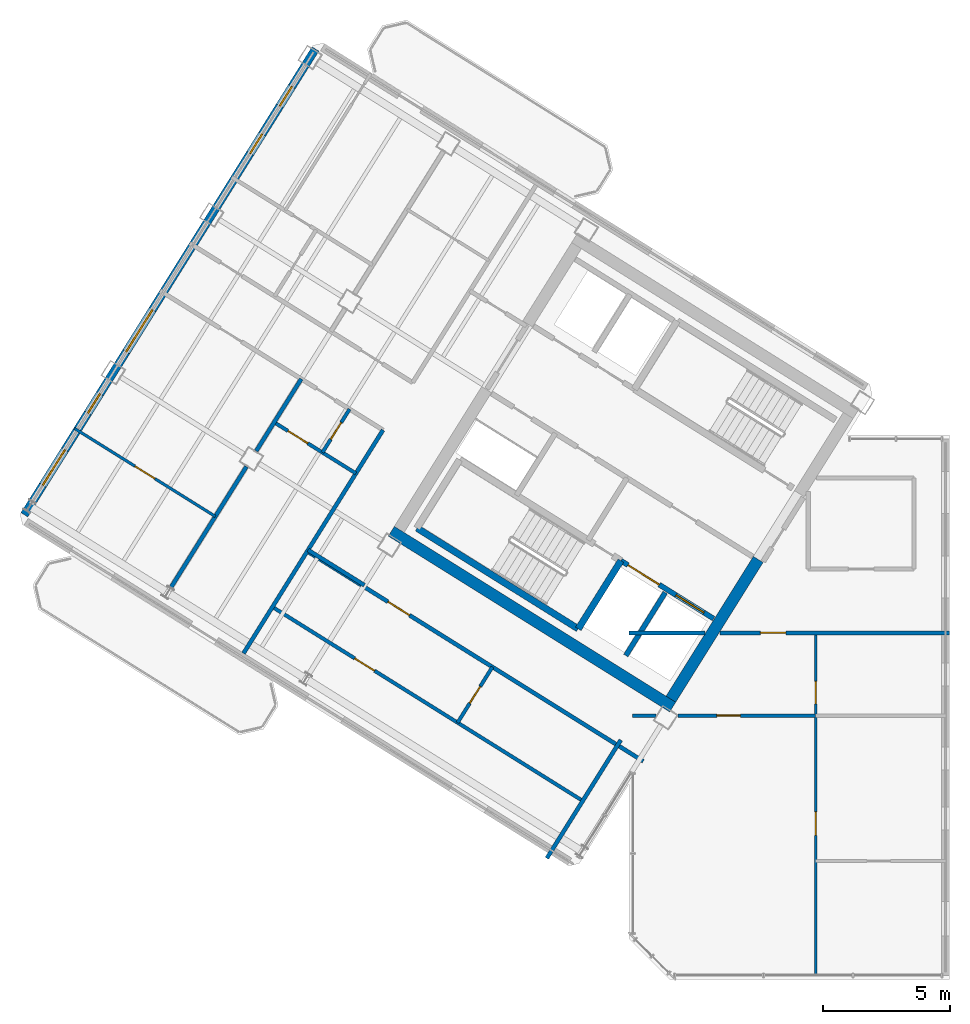
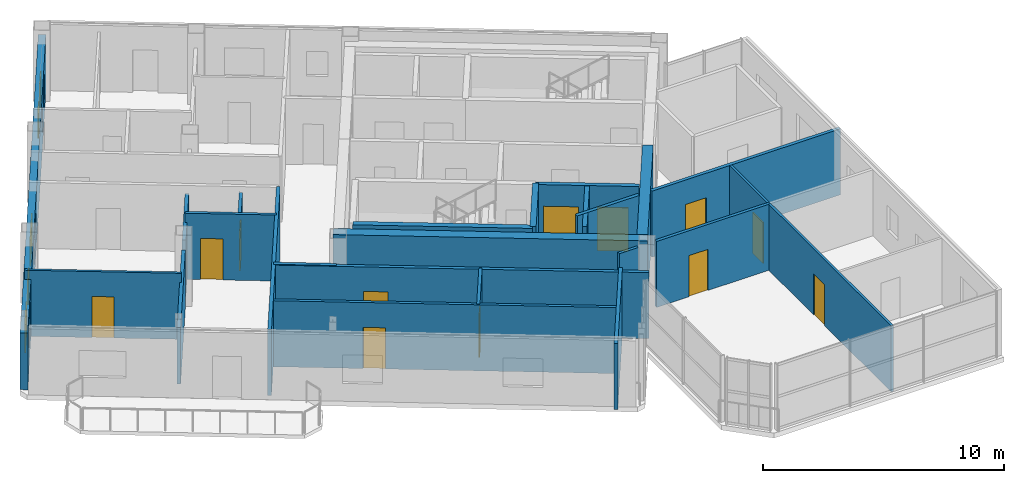
# One storey, part 7 of 13: 23 walls, 12 doors, 5 windows, 17 openings.
"""IFC4 building model written with IfcOpenShell, lengths in metres."""

from ifc_helpers import new_model, si_unit, direction, frame, frame_2d, origin, place, context, subcontext, project, spatial, rectangle, extrude, source, transform, mapped, material, layer, layer_set, type_object, element, fill, save


model = new_model("IFC4")

# Units and contexts
model_context = context("Model", 3, precision=1e-05, world=origin(), true_north=direction((0.0, 1.0)))
body_context = subcontext(model_context, "Body", "Model", "MODEL_VIEW")
ifc_project = project(units=[si_unit("LENGTHUNIT", "METRE"), si_unit("AREAUNIT", "SQUARE_METRE"), si_unit("VOLUMEUNIT", "CUBIC_METRE"), si_unit("PLANEANGLEUNIT", "RADIAN"), si_unit("MASSUNIT", "GRAM", prefix="KILO")], contexts=[model_context])

# Site, building, storey
site_placement = place(None, origin())
site = spatial("IfcSite", under=ifc_project, at=site_placement, CompositionType="ELEMENT")
building_placement = place(site_placement, origin())
building = spatial("IfcBuilding", under=site, at=building_placement, Name="Tlacorven Tower", CompositionType="ELEMENT")
storey_placement = place(building_placement, frame((0.0, 0.0, 291.60009765625)))
storey = spatial("IfcBuildingStorey", under=building, at=storey_placement, Name="L74", CompositionType="ELEMENT", Elevation=291.60009765625)

# Walls
ifc_material_1 = material(Name="Concrete C50/60", Category="concrete")
ifc_layer_1 = layer(ifc_material_1, 0.449951171875)
ifc_layer_set_1 = layer_set([ifc_layer_1], Name="Concrete C50/60")
wall_type_1 = type_object("IfcWallType", Name="WL-COR-450", PredefinedType="SHEAR", material=ifc_layer_set_1)
wall_1_placement = place(storey_placement, frame((33.32373046875, 12.5029296875, 0.0), z_axis=(0.0, 0.0, 1.0), x_axis=(-0.848043529849, 0.529926571782, 0.0)))
element("IfcWall", 1, at=wall_1_placement, inside=storey, type_object=wall_type_1, Name="L74 W core shear wall S2", PredefinedType="SHEAR", context=body_context, shape_type="SweptSolid", body=[
    extrude(rectangle(XDim=13.039794921875, YDim=0.449951171875, at=frame_2d((6.52001953125, 0.0))), origin(), (0.0, 0.0, 1.0), 3.349853515625),
])
wall_2_placement = place(storey_placement, frame((36.683349609375, 18.30419921875, 0.0), z_axis=(0.0, 0.0, 1.0), x_axis=(-0.529904039071, -0.848057609704, 0.0)))
element("IfcWall", 2, at=wall_2_placement, inside=storey, type_object=wall_type_1, Name="L74 W core end wall E1.2", PredefinedType="SHEAR", context=body_context, shape_type="SweptSolid", body=[
    extrude(rectangle(XDim=6.47509765625, YDim=0.449951171875, at=frame_2d((3.237548828125, 0.0))), origin(), (0.0, 0.0, 1.0), 3.349853515625),
])
ifc_material_2 = material(Name="Gypsum plasterboard acoustic partition", Category="gypsum")
ifc_layer_2 = layer(ifc_material_2, 0.159912109375)
ifc_layer_set_2 = layer_set([ifc_layer_2], Name="Gypsum plasterboard acoustic partition")
wall_type_2 = type_object("IfcWallType", Name="WL-DEM-160", PredefinedType="PARTITIONING", material=ifc_layer_set_2)
wall_3_placement = place(storey_placement, frame((21.20556640625, 17.29248046875, 0.0), z_axis=(0.0, 0.0, 1.0), x_axis=(-0.848050851465, 0.529914854792, 0.0)))
element("IfcWall", 3, at=wall_3_placement, inside=storey, type_object=wall_type_2, Name="L74 partition 20", PredefinedType="PARTITIONING", context=body_context, shape_type="SweptSolid", body=[
    extrude(rectangle(XDim=2.60986328125, YDim=0.159912109375, at=frame_2d((1.304931640625, 0.0))), origin(), (0.0, 0.0, 1.0), 3.33984375),
])
wall_4_placement = place(storey_placement, frame((21.9384765625, 23.390625, 0.0), z_axis=(0.0, 0.0, 1.0), x_axis=(-0.529924725692, -0.848044683434, 0.0)))
element("IfcWall", 4, at=wall_4_placement, inside=storey, type_object=wall_type_2, Name="L74 partition 22", PredefinedType="PARTITIONING", context=body_context, shape_type="SweptSolid", body=[
    extrude(rectangle(XDim=10.349853515625, YDim=0.159912109375, at=frame_2d((5.1748046875, 0.0))), origin(), (0.0, 0.0, 1.0), 3.33984375),
])
wall_5_placement = place(storey_placement, frame((18.724365234375, 25.399169921875, 0.0), z_axis=(0.0, 0.0, 1.0), x_axis=(-0.529952920244, -0.848027064618, 0.0)))
element("IfcWall", 5, at=wall_5_placement, inside=storey, type_object=wall_type_2, Name="L74 WN Demising Wall 1", PredefinedType="PARTITIONING", context=body_context, shape_type="SweptSolid", body=[
    extrude(rectangle(XDim=3.338134765625, YDim=0.159912109375, at=frame_2d((1.6689453125, 0.0))), origin(), (0.0, 0.0, 1.0), 2.875),
])
wall_6_placement = place(storey_placement, frame((16.57177734375, 21.954345703125, 0.0), z_axis=(0.0, 0.0, 1.0), x_axis=(-0.529904903214, -0.848057069748, 0.0)))
element("IfcWall", 6, at=wall_6_placement, inside=storey, type_object=wall_type_2, Name="L74 WN Demising Wall 1", PredefinedType="PARTITIONING", context=body_context, shape_type="SweptSolid", body=[
    extrude(rectangle(XDim=5.60107421875, YDim=0.159912109375, at=frame_2d((2.800537109375, 0.0))), origin(), (0.0, 0.0, 1.0), 2.875),
])

# Wall, opening, door
wall_7_placement = place(storey_placement, frame((32.164306640625, 10.373779296875, 0.0), z_axis=(0.0, 0.0, 1.0), x_axis=(-0.848044107957, 0.529925646633, 0.0)))
wall_7 = element("IfcWall", 7, at=wall_7_placement, inside=storey, type_object=wall_type_2, Name="L74 partition 35", PredefinedType="PARTITIONING", context=body_context, shape_type="SweptSolid", body=[
    extrude(rectangle(XDim=15.570068359375, YDim=0.159912109375, at=frame_2d((7.78515625, 0.0))), origin(), (0.0, 0.0, 1.0), 3.33984375),
])
opening_1_placement = place(wall_7_placement, frame((10.830078125, 0.0, 0.0)))
opening_1 = element("IfcOpeningElement", 8, at=opening_1_placement, cuts=wall_7, Name="Opening D11", PredefinedType="OPENING", context=body_context, shape_type="SweptSolid", body=[
    extrude(rectangle(XDim=1.0, YDim=2.10009765625, at=frame_2d((0.5, 1.050048828125))), frame((0.0, 0.08984375, 0.0), z_axis=(0.0, -1.0, 0.0), x_axis=(1.0, 0.0, 0.0)), (0.0, 0.0, 1.0), 0.179931640625),
])
ifc_material_3 = material(Name="Fire-rated steel door assembly", Category="steel")
door_type_1 = type_object("IfcDoorType", Name="DR-FLT-FD60-1000", OperationType="NOTDEFINED", PredefinedType="DOOR", material=ifc_material_3)
shared_shape_1 = source(origin(), body_context, "Body", "SweptSolid", [
    extrude(rectangle(XDim=1.0, YDim=2.10009765625, at=frame_2d((0.5, 1.050048828125))), frame((0.0, 0.02490234375, 0.0), z_axis=(0.0, -1.0, 0.0), x_axis=(1.0, 0.0, 0.0)), (0.0, 0.0, 1.0), 0.050048828125),
])
door_1_placement = place(opening_1_placement, origin())
door_1 = element("IfcDoor", 9, at=door_1_placement, inside=storey, type_object=door_type_1, Name="L74 door 023", OperationType="SINGLE_SWING_LEFT", OverallHeight=2.10009765625, OverallWidth=1.0, PredefinedType="DOOR", context=body_context, shape_type="MappedRepresentation", body=[
    mapped(shared_shape_1, transform((0.0, 0.0, 0.0), scale=1.0)),
])
fill(opening_1, door_1)

# Walls
wall_8_placement = place(storey_placement, frame((31.282470703125, 11.2080078125, 0.0), z_axis=(0.0, 0.0, 1.0), x_axis=(-0.529938869374, -0.84803584519, 0.0)))
element("IfcWall", 10, at=wall_8_placement, inside=storey, type_object=wall_type_2, Name="L74 WC West Throat Wall", PredefinedType="PARTITIONING", context=body_context, shape_type="SweptSolid", body=[
    extrude(rectangle(XDim=5.47998046875, YDim=0.159912109375, at=frame_2d((2.739990234375, 0.0))), origin(), (0.0, 0.0, 1.0), 3.33984375),
])
wall_9_placement = place(storey_placement, frame((31.60009765625, 15.419921875, 0.0), z_axis=(0.0, 0.0, 1.0), x_axis=(1.0, 0.0, 0.0)))
element("IfcWall", 11, at=wall_9_placement, inside=storey, type_object=wall_type_2, Name="L74 Knuckle Corridor South Wall", PredefinedType="PARTITIONING", context=body_context, shape_type="SweptSolid", body=[
    extrude(rectangle(XDim=2.984130859375, YDim=0.159912109375, at=frame_2d((1.4921875, 0.0))), origin(), (0.0, 0.0, 1.0), 3.33984375),
])

# Wall, opening, door
wall_10_placement = place(storey_placement, frame((35.178466796875, 15.419921875, 0.0), z_axis=(0.0, 0.0, 1.0), x_axis=(1.0, 0.0, 0.0)))
wall_10 = element("IfcWall", 12, at=wall_10_placement, inside=storey, type_object=wall_type_2, Name="L74 Knuckle Corridor South Wall", PredefinedType="PARTITIONING", context=body_context, shape_type="SweptSolid", body=[
    extrude(rectangle(XDim=9.021484375, YDim=0.159912109375, at=frame_2d((4.5107421875, 0.0))), origin(), (0.0, 0.0, 1.0), 3.33984375),
])
opening_2_placement = place(wall_10_placement, frame((1.593505859375, 0.0, 0.0)))
opening_2 = element("IfcOpeningElement", 13, at=opening_2_placement, cuts=wall_10, Name="Opening D11", PredefinedType="OPENING", context=body_context, shape_type="SweptSolid", body=[
    extrude(rectangle(XDim=1.0, YDim=2.10009765625, at=frame_2d((0.5, 1.050048828125))), frame((0.0, 0.08984375, 0.0), z_axis=(0.0, -1.0, 0.0), x_axis=(1.0, 0.0, 0.0)), (0.0, 0.0, 1.0), 0.179931640625),
])
door_2_placement = place(opening_2_placement, frame((1.0, 0.0, 0.0), z_axis=(0.0, 0.0, 1.0), x_axis=(-1.0, 0.0, 0.0)))
door_2 = element("IfcDoor", 14, at=door_2_placement, inside=storey, type_object=door_type_1, Name="L74 door 030", OperationType="SINGLE_SWING_LEFT", OverallHeight=2.10009765625, OverallWidth=1.0, PredefinedType="DOOR", context=body_context, shape_type="MappedRepresentation", body=[
    mapped(shared_shape_1, transform((0.0, 0.0, 0.0), scale=1.0)),
])
fill(opening_2, door_2)

# Wall, openings, windows
ifc_material_4 = material(Name="Precast concrete C45/55", Category="concrete")
ifc_layer_3 = layer(ifc_material_4, 0.320068359375)
ifc_layer_set_3 = layer_set([ifc_layer_3], Name="Precast concrete C45/55")
wall_type_3 = type_object("IfcWallType", Name="WL-EXT-320", PredefinedType="STANDARD", material=ifc_layer_set_3)
wall_11_placement = place(storey_placement, frame((7.842041015625, 20.06103515625, 0.0), z_axis=(0.0, 0.0, 1.0), x_axis=(0.529915577903, 0.84805039962, 0.0)))
wall_11 = element("IfcWall", 15, at=wall_11_placement, inside=storey, type_object=wall_type_3, Name="L74 Masonry-Frame Recessed Facade Wall 3", PredefinedType="STANDARD", context=body_context, shape_type="SweptSolid", body=[
    extrude(rectangle(XDim=21.58740234375, YDim=0.320068359375, at=frame_2d((10.793701171875, 0.0))), origin(), (0.0, 0.0, 1.0), 2.875),
])
opening_3_placement = place(wall_11_placement, frame((1.36767578125, 0.0, 0.89990234375)))
opening_3 = element("IfcOpeningElement", 16, at=opening_3_placement, cuts=wall_11, Name="Opening WN07", PredefinedType="OPENING", context=body_context, shape_type="SweptSolid", body=[
    extrude(rectangle(XDim=1.64990234375, YDim=1.449951171875, at=frame_2d((0.824951171875, 0.72509765625))), frame((0.0, 0.169921875, 0.0), z_axis=(0.0, -1.0, 0.0), x_axis=(1.0, 0.0, 0.0)), (0.0, 0.0, 1.0), 0.340087890625),
])
opening_4_placement = place(wall_11_placement, frame((4.710205078125, 0.0, 1.0)))
opening_4 = element("IfcOpeningElement", 17, at=opening_4_placement, cuts=wall_11, Name="Opening WN05", PredefinedType="OPENING", context=body_context, shape_type="SweptSolid", body=[
    extrude(rectangle(XDim=0.89990234375, YDim=1.25, at=frame_2d((0.449951171875, 0.625))), frame((0.0, 0.169921875, 0.0), z_axis=(0.0, -1.0, 0.0), x_axis=(1.0, 0.0, 0.0)), (0.0, 0.0, 1.0), 0.340087890625),
])
opening_5_placement = place(wall_11_placement, frame((7.5537109375, 0.0, 0.949951171875)))
opening_5 = element("IfcOpeningElement", 18, at=opening_5_placement, cuts=wall_11, Name="Opening WN09", PredefinedType="OPENING", context=body_context, shape_type="SweptSolid", body=[
    extrude(rectangle(XDim=1.949951171875, YDim=1.35009765625, at=frame_2d((0.97509765625, 0.675048828125))), frame((0.0, 0.169921875, 0.0), z_axis=(0.0, -1.0, 0.0), x_axis=(1.0, 0.0, 0.0)), (0.0, 0.0, 1.0), 0.340087890625),
])
opening_6_placement = place(wall_11_placement, frame((16.74365234375, 0.0, 1.0)))
opening_6 = element("IfcOpeningElement", 19, at=opening_6_placement, cuts=wall_11, Name="Opening WN05", PredefinedType="OPENING", context=body_context, shape_type="SweptSolid", body=[
    extrude(rectangle(XDim=0.89990234375, YDim=1.25, at=frame_2d((0.449951171875, 0.625))), frame((0.0, 0.169921875, 0.0), z_axis=(0.0, -1.0, 0.0), x_axis=(1.0, 0.0, 0.0)), (0.0, 0.0, 1.0), 0.340087890625),
])
opening_7_placement = place(wall_11_placement, frame((18.943603515625, 0.0, 1.0)))
opening_7 = element("IfcOpeningElement", 20, at=opening_7_placement, cuts=wall_11, Name="Opening WN05", PredefinedType="OPENING", context=body_context, shape_type="SweptSolid", body=[
    extrude(rectangle(XDim=0.89990234375, YDim=1.25, at=frame_2d((0.449951171875, 0.625))), frame((0.0, 0.169921875, 0.0), z_axis=(0.0, -1.0, 0.0), x_axis=(1.0, 0.0, 0.0)), (0.0, 0.0, 1.0), 0.340087890625),
])
ifc_material_5 = material(Name="Dark solar low-E double glazing in anodised aluminium frame", Category="aluminium")
window_type_1 = type_object("IfcWindowType", Name="WN-APT-0900X1350", PartitioningType="SINGLE_PANEL", PredefinedType="WINDOW", material=ifc_material_5)
shared_shape_2 = source(origin(), body_context, "Body", "SweptSolid", [
    extrude(rectangle(XDim=0.89990234375, YDim=1.25, at=frame_2d((0.449951171875, 0.625))), frame((0.0, 0.030029296875, 0.0), z_axis=(0.0, -1.0, 0.0), x_axis=(1.0, 0.0, 0.0)), (0.0, 0.0, 1.0), 0.06005859375),
])
window_1_placement = place(opening_4_placement, origin())
window_1 = element("IfcWindow", 21, at=window_1_placement, inside=storey, type_object=window_type_1, Name="L74 Recessed Masonry-Frame Window L74-03.2", OverallHeight=1.25, OverallWidth=0.89990234375, PartitioningType="SINGLE_PANEL", PredefinedType="WINDOW", context=body_context, shape_type="MappedRepresentation", body=[
    mapped(shared_shape_2, transform((0.0, 0.0, 0.0), scale=1.0)),
])
fill(opening_4, window_1)
window_2_placement = place(opening_6_placement, origin())
window_2 = element("IfcWindow", 22, at=window_2_placement, inside=storey, type_object=window_type_1, Name="L74 Recessed Masonry-Frame Window L74-03.4", OverallHeight=1.25, OverallWidth=0.89990234375, PartitioningType="SINGLE_PANEL", PredefinedType="WINDOW", context=body_context, shape_type="MappedRepresentation", body=[
    mapped(shared_shape_2, transform((0.0, 0.0, 0.0), scale=1.0)),
])
fill(opening_6, window_2)
window_3_placement = place(opening_7_placement, origin())
window_3 = element("IfcWindow", 23, at=window_3_placement, inside=storey, type_object=window_type_1, Name="L74 Recessed Masonry-Frame Window L74-03.5", OverallHeight=1.25, OverallWidth=0.89990234375, PartitioningType="SINGLE_PANEL", PredefinedType="WINDOW", context=body_context, shape_type="MappedRepresentation", body=[
    mapped(shared_shape_2, transform((0.0, 0.0, 0.0), scale=1.0)),
])
fill(opening_7, window_3)
window_type_2 = type_object("IfcWindowType", Name="WN-APT-1650X1600", PartitioningType="SINGLE_PANEL", PredefinedType="WINDOW", material=ifc_material_5)
shared_shape_3 = source(origin(), body_context, "Body", "SweptSolid", [
    extrude(rectangle(XDim=1.64990234375, YDim=1.449951171875, at=frame_2d((0.824951171875, 0.72509765625))), frame((0.0, 0.030029296875, 0.0), z_axis=(0.0, -1.0, 0.0), x_axis=(1.0, 0.0, 0.0)), (0.0, 0.0, 1.0), 0.06005859375),
])
window_4_placement = place(opening_3_placement, origin())
window_4 = element("IfcWindow", 24, at=window_4_placement, inside=storey, type_object=window_type_2, Name="L74 Recessed Masonry-Frame Window L74-03.1", OverallHeight=1.449951171875, OverallWidth=1.64990234375, PartitioningType="SINGLE_PANEL", PredefinedType="WINDOW", context=body_context, shape_type="MappedRepresentation", body=[
    mapped(shared_shape_3, transform((0.0, 0.0, 0.0), scale=1.0)),
])
fill(opening_3, window_4)
window_type_3 = type_object("IfcWindowType", Name="WN-GAL-1950X1450", PartitioningType="SINGLE_PANEL", PredefinedType="WINDOW", material=ifc_material_5)
shared_shape_4 = source(origin(), body_context, "Body", "SweptSolid", [
    extrude(rectangle(XDim=1.949951171875, YDim=1.35009765625, at=frame_2d((0.97509765625, 0.675048828125))), frame((0.0, 0.030029296875, 0.0), z_axis=(0.0, -1.0, 0.0), x_axis=(1.0, 0.0, 0.0)), (0.0, 0.0, 1.0), 0.06005859375),
])
window_5_placement = place(opening_5_placement, origin())
window_5 = element("IfcWindow", 25, at=window_5_placement, inside=storey, type_object=window_type_3, Name="L74 Recessed Masonry-Frame Window L74-03.3", OverallHeight=1.35009765625, OverallWidth=1.949951171875, PartitioningType="SINGLE_PANEL", PredefinedType="WINDOW", context=body_context, shape_type="MappedRepresentation", body=[
    mapped(shared_shape_4, transform((0.0, 0.0, 0.0), scale=1.0)),
])
fill(opening_5, window_5)

# Wall, opening, door
ifc_material_6 = material(Name="Gypsum plasterboard partition", Category="gypsum")
ifc_layer_4 = layer(ifc_material_6, 0.110107421875)
ifc_layer_set_4 = layer_set([ifc_layer_4], Name="Gypsum plasterboard partition")
wall_type_4 = type_object("IfcWallType", Name="WL-INT-110", PredefinedType="PARTITIONING", material=ifc_layer_set_4)
wall_12_placement = place(storey_placement, frame((15.34765625, 19.995361328125, 0.0), z_axis=(0.0, 0.0, 1.0), x_axis=(-0.848048787466, 0.529918157905, 0.0)))
wall_12 = element("IfcWall", 26, at=wall_12_placement, inside=storey, type_object=wall_type_4, Name="L74 partition 29", PredefinedType="PARTITIONING", context=body_context, shape_type="SweptSolid", body=[
    extrude(rectangle(XDim=6.52001953125, YDim=0.110107421875, at=frame_2d((3.260009765625, 0.0))), origin(), (0.0, 0.0, 1.0), 3.33984375),
])
opening_8_placement = place(wall_12_placement, frame((2.800048828125, 0.0, 0.0)))
opening_8 = element("IfcOpeningElement", 27, at=opening_8_placement, cuts=wall_12, Name="Opening D12", PredefinedType="OPENING", context=body_context, shape_type="SweptSolid", body=[
    extrude(rectangle(XDim=0.919921875, YDim=2.080078125, at=frame_2d((0.4599609375, 1.0400390625))), frame((0.0, 0.06494140625, 0.0), z_axis=(0.0, -1.0, 0.0), x_axis=(1.0, 0.0, 0.0)), (0.0, 0.0, 1.0), 0.130126953125),
])
ifc_material_7 = material(Name="Powder-coated aluminium and timber door", Category="wood")
door_type_2 = type_object("IfcDoorType", Name="DR-INT-ROOM-0920", OperationType="NOTDEFINED", PredefinedType="DOOR", material=ifc_material_7)
shared_shape_5 = source(origin(), body_context, "Body", "SweptSolid", [
    extrude(rectangle(XDim=0.919921875, YDim=2.080078125, at=frame_2d((0.4599609375, 1.0400390625))), frame((0.0, 0.02490234375, 0.0), z_axis=(0.0, -1.0, 0.0), x_axis=(1.0, 0.0, 0.0)), (0.0, 0.0, 1.0), 0.050048828125),
])
door_3_placement = place(opening_8_placement, origin())
door_3 = element("IfcDoor", 28, at=door_3_placement, inside=storey, type_object=door_type_2, Name="L74 door 016", OperationType="SINGLE_SWING_RIGHT", OverallHeight=2.080078125, OverallWidth=0.919921875, PredefinedType="DOOR", context=body_context, shape_type="MappedRepresentation", body=[
    mapped(shared_shape_5, transform((0.0, 0.0, 0.0), scale=1.0)),
])
fill(opening_8, door_3)

# Wall, openings, doors
wall_13_placement = place(storey_placement, frame((38.944091796875, 1.9599609375, 0.0), z_axis=(0.0, 0.0, 1.0), x_axis=(0.0, 1.0, 0.0)))
wall_13 = element("IfcWall", 29, at=wall_13_placement, inside=storey, type_object=wall_type_4, Name="L74 partition 45", PredefinedType="PARTITIONING", context=body_context, shape_type="SweptSolid", body=[
    extrude(rectangle(XDim=13.4599609375, YDim=0.110107421875, at=frame_2d((6.72998046875, 0.0))), origin(), (0.0, 0.0, 1.0), 3.33984375),
])
opening_9_placement = place(wall_13_placement, frame((5.5, 0.0, 0.0)))
opening_9 = element("IfcOpeningElement", 30, at=opening_9_placement, cuts=wall_13, Name="Opening D12", PredefinedType="OPENING", context=body_context, shape_type="SweptSolid", body=[
    extrude(rectangle(XDim=0.919921875, YDim=2.080078125, at=frame_2d((0.4599609375, 1.0400390625))), frame((0.0, 0.06494140625, 0.0), z_axis=(0.0, -1.0, 0.0), x_axis=(1.0, 0.0, 0.0)), (0.0, 0.0, 1.0), 0.130126953125),
])
opening_10_placement = place(wall_13_placement, frame((10.669921875, 0.0, 0.0)))
opening_10 = element("IfcOpeningElement", 31, at=opening_10_placement, cuts=wall_13, Name="Opening D13", PredefinedType="OPENING", context=body_context, shape_type="SweptSolid", body=[
    extrude(rectangle(XDim=0.8798828125, YDim=2.080078125, at=frame_2d((0.43994140625, 1.0400390625))), frame((0.0, 0.06494140625, 0.0), z_axis=(0.0, -1.0, 0.0), x_axis=(1.0, 0.0, 0.0)), (0.0, 0.0, 1.0), 0.130126953125),
])
door_type_3 = type_object("IfcDoorType", Name="DR-INT-WET-0880", OperationType="NOTDEFINED", PredefinedType="DOOR", material=ifc_material_7)
shared_shape_6 = source(origin(), body_context, "Body", "SweptSolid", [
    extrude(rectangle(XDim=0.8798828125, YDim=2.080078125, at=frame_2d((0.43994140625, 1.0400390625))), frame((0.0, 0.02490234375, 0.0), z_axis=(0.0, -1.0, 0.0), x_axis=(1.0, 0.0, 0.0)), (0.0, 0.0, 1.0), 0.050048828125),
])
door_4_placement = place(opening_10_placement, origin())
door_4 = element("IfcDoor", 32, at=door_4_placement, inside=storey, type_object=door_type_3, Name="L74 door 032", OperationType="SINGLE_SWING_LEFT", OverallHeight=2.080078125, OverallWidth=0.8798828125, PredefinedType="DOOR", context=body_context, shape_type="MappedRepresentation", body=[
    mapped(shared_shape_6, transform((0.0, 0.0, 0.0), scale=1.0)),
])
fill(opening_10, door_4)
door_5_placement = place(opening_9_placement, origin())
door_5 = element("IfcDoor", 33, at=door_5_placement, inside=storey, type_object=door_type_2, Name="L74 door 028", OperationType="SINGLE_SWING_LEFT", OverallHeight=2.080078125, OverallWidth=0.919921875, PredefinedType="DOOR", context=body_context, shape_type="MappedRepresentation", body=[
    mapped(shared_shape_5, transform((0.0, 0.0, 0.0), scale=1.0)),
])
fill(opening_9, door_5)

# Wall, opening, door
ifc_material_8 = material(Name="Moisture-resistant gypsum plumbing wall", Category="gypsum")
ifc_layer_5 = layer(ifc_material_8, 0.139892578125)
ifc_layer_set_5 = layer_set([ifc_layer_5], Name="Moisture-resistant gypsum plumbing wall")
wall_type_5 = type_object("IfcWallType", Name="WL-PLM-140", PredefinedType="PLUMBINGWALL", material=ifc_layer_set_5)
wall_14_placement = place(storey_placement, frame((20.873291015625, 21.68603515625, 0.0), z_axis=(0.0, 0.0, 1.0), x_axis=(-0.84803087207, 0.529946827537, 0.0)))
wall_14 = element("IfcWall", 34, at=wall_14_placement, inside=storey, type_object=wall_type_5, Name="L74 partition 27", PredefinedType="PLUMBINGWALL", context=body_context, shape_type="SweptSolid", body=[
    extrude(rectangle(XDim=3.7900390625, YDim=0.139892578125, at=frame_2d((1.89501953125, 0.0))), origin(), (0.0, 0.0, 1.0), 3.33984375),
])
opening_11_placement = place(wall_14_placement, frame((2.22998046875, 0.0, 0.0)))
opening_11 = element("IfcOpeningElement", 35, at=opening_11_placement, cuts=wall_14, Name="Opening D12", PredefinedType="OPENING", context=body_context, shape_type="SweptSolid", body=[
    extrude(rectangle(XDim=0.919921875, YDim=2.080078125, at=frame_2d((0.4599609375, 1.0400390625))), frame((0.0, 0.080078125, 0.0), z_axis=(0.0, -1.0, 0.0), x_axis=(1.0, 0.0, 0.0)), (0.0, 0.0, 1.0), 0.159912109375),
])
door_6_placement = place(opening_11_placement, origin())
door_6 = element("IfcDoor", 36, at=door_6_placement, inside=storey, type_object=door_type_2, Name="L74 door 013", OperationType="SINGLE_SWING_LEFT", OverallHeight=2.080078125, OverallWidth=0.919921875, PredefinedType="DOOR", context=body_context, shape_type="MappedRepresentation", body=[
    mapped(shared_shape_5, transform((0.0, 0.0, 0.0), scale=1.0)),
])
fill(opening_11, door_6)

wall_15_placement = place(storey_placement, frame((20.6240234375, 24.212158203125, 0.0), z_axis=(0.0, 0.0, 1.0), x_axis=(-0.529933431478, -0.848039243315, 0.0)))
wall_15 = element("IfcWall", 37, at=wall_15_placement, inside=storey, type_object=wall_type_5, Name="L74 partition 28", PredefinedType="PLUMBINGWALL", context=body_context, shape_type="SweptSolid", body=[
    extrude(rectangle(XDim=2.010009765625, YDim=0.139892578125, at=frame_2d((1.0048828125, 0.0))), origin(), (0.0, 0.0, 1.0), 3.02490234375),
])
opening_12_placement = place(wall_15_placement, frame((0.614990234375, 0.0, 0.0)))
opening_12 = element("IfcOpeningElement", 38, at=opening_12_placement, cuts=wall_15, Name="Opening D22", PredefinedType="OPENING", context=body_context, shape_type="SweptSolid", body=[
    extrude(rectangle(XDim=0.780029296875, YDim=2.050048828125, at=frame_2d((0.39013671875, 1.02490234375))), frame((0.0, 0.080078125, 0.0), z_axis=(0.0, -1.0, 0.0), x_axis=(1.0, 0.0, 0.0)), (0.0, 0.0, 1.0), 0.159912109375),
])
door_type_4 = type_object("IfcDoorType", Name="DR-INT-WET-0780", OperationType="NOTDEFINED", PredefinedType="DOOR", material=ifc_material_7)
shared_shape_7 = source(origin(), body_context, "Body", "SweptSolid", [
    extrude(rectangle(XDim=0.780029296875, YDim=2.050048828125, at=frame_2d((0.39013671875, 1.02490234375))), frame((0.0, 0.02490234375, 0.0), z_axis=(0.0, -1.0, 0.0), x_axis=(1.0, 0.0, 0.0)), (0.0, 0.0, 1.0), 0.050048828125),
])
door_7_placement = place(opening_12_placement, origin())
door_7 = element("IfcDoor", 39, at=door_7_placement, inside=storey, type_object=door_type_4, Name="L74 door 014", OperationType="SINGLE_SWING_RIGHT", OverallHeight=2.050048828125, OverallWidth=0.780029296875, PredefinedType="DOOR", context=body_context, shape_type="MappedRepresentation", body=[
    mapped(shared_shape_7, transform((0.0, 0.0, 0.0), scale=1.0)),
])
fill(opening_12, door_7)

wall_16_placement = place(storey_placement, frame((29.72021484375, 8.85888671875, 0.0), z_axis=(0.0, 0.0, 1.0), x_axis=(-0.848049134363, 0.529917602752, 0.0)))
wall_16 = element("IfcWall", 40, at=wall_16_placement, inside=storey, type_object=wall_type_5, Name="L74 partition 37", PredefinedType="PLUMBINGWALL", context=body_context, shape_type="SweptSolid", body=[
    extrude(rectangle(XDim=14.300048828125, YDim=0.139892578125, at=frame_2d((7.14990234375, 0.0))), origin(), (0.0, 0.0, 1.0), 3.33984375),
])
opening_13_placement = place(wall_16_placement, frame((9.570068359375, 0.0, 0.0)))
opening_13 = element("IfcOpeningElement", 41, at=opening_13_placement, cuts=wall_16, Name="Opening D12", PredefinedType="OPENING", context=body_context, shape_type="SweptSolid", body=[
    extrude(rectangle(XDim=0.919921875, YDim=2.080078125, at=frame_2d((0.4599609375, 1.0400390625))), frame((0.0, 0.080078125, 0.0), z_axis=(0.0, -1.0, 0.0), x_axis=(1.0, 0.0, 0.0)), (0.0, 0.0, 1.0), 0.159912109375),
])
door_8_placement = place(opening_13_placement, origin())
door_8 = element("IfcDoor", 42, at=door_8_placement, inside=storey, type_object=door_type_2, Name="L74 door 024", OperationType="SINGLE_SWING_RIGHT", OverallHeight=2.080078125, OverallWidth=0.919921875, PredefinedType="DOOR", context=body_context, shape_type="MappedRepresentation", body=[
    mapped(shared_shape_5, transform((0.0, 0.0, 0.0), scale=1.0)),
])
fill(opening_13, door_8)

wall_17_placement = place(storey_placement, frame((26.236572265625, 14.077880859375, 0.0), z_axis=(0.0, 0.0, 1.0), x_axis=(-0.52995640672, -0.848024885824, 0.0)))
wall_17 = element("IfcWall", 43, at=wall_17_placement, inside=storey, type_object=wall_type_5, Name="L74 partition 38", PredefinedType="PLUMBINGWALL", context=body_context, shape_type="SweptSolid", body=[
    extrude(rectangle(XDim=2.579833984375, YDim=0.139892578125, at=frame_2d((1.2900390625, 0.0))), origin(), (0.0, 0.0, 1.0), 3.33984375),
])
opening_14_placement = place(wall_17_placement, frame((0.89990234375, 0.0, 0.0)))
opening_14 = element("IfcOpeningElement", 44, at=opening_14_placement, cuts=wall_17, Name="Opening D22", PredefinedType="OPENING", context=body_context, shape_type="SweptSolid", body=[
    extrude(rectangle(XDim=0.780029296875, YDim=2.050048828125, at=frame_2d((0.39013671875, 1.02490234375))), frame((0.0, 0.080078125, 0.0), z_axis=(0.0, -1.0, 0.0), x_axis=(1.0, 0.0, 0.0)), (0.0, 0.0, 1.0), 0.159912109375),
])
door_9_placement = place(opening_14_placement, origin())
door_9 = element("IfcDoor", 45, at=door_9_placement, inside=storey, type_object=door_type_4, Name="L74 door 025", OperationType="SINGLE_SWING_LEFT", OverallHeight=2.050048828125, OverallWidth=0.780029296875, PredefinedType="DOOR", context=body_context, shape_type="MappedRepresentation", body=[
    mapped(shared_shape_7, transform((0.0, 0.0, 0.0), scale=1.0)),
])
fill(opening_14, door_9)

# Wall
wall_18_placement = place(storey_placement, frame((31.739990234375, 12.169921875, 0.0), z_axis=(0.0, 0.0, 1.0), x_axis=(1.0, 0.0, 0.0)))
element("IfcWall", 46, at=wall_18_placement, inside=storey, type_object=wall_type_5, Name="L74 partition 46", PredefinedType="PLUMBINGWALL", context=body_context, shape_type="SweptSolid", body=[
    extrude(rectangle(XDim=0.93115234375, YDim=0.139892578125, at=frame_2d((0.465576171875, 0.0))), origin(), (0.0, 0.0, 1.0), 3.33984375),
])

# Wall, opening, door
wall_19_placement = place(storey_placement, frame((33.52490234375, 12.169921875, 0.0), z_axis=(0.0, 0.0, 1.0), x_axis=(1.0, 0.0, 0.0)))
wall_19 = element("IfcWall", 47, at=wall_19_placement, inside=storey, type_object=wall_type_5, Name="L74 partition 46", PredefinedType="PLUMBINGWALL", context=body_context, shape_type="SweptSolid", body=[
    extrude(rectangle(XDim=5.419189453125, YDim=0.139892578125, at=frame_2d((2.70947265625, 0.0))), origin(), (0.0, 0.0, 1.0), 3.33984375),
])
opening_15_placement = place(wall_19_placement, frame((1.537109375, 0.0, 0.0)))
opening_15 = element("IfcOpeningElement", 48, at=opening_15_placement, cuts=wall_19, Name="Opening D12", PredefinedType="OPENING", context=body_context, shape_type="SweptSolid", body=[
    extrude(rectangle(XDim=0.919921875, YDim=2.080078125, at=frame_2d((0.4599609375, 1.0400390625))), frame((0.0, 0.080078125, 0.0), z_axis=(0.0, -1.0, 0.0), x_axis=(1.0, 0.0, 0.0)), (0.0, 0.0, 1.0), 0.159912109375),
])
door_10_placement = place(opening_15_placement, frame((0.919921875, 0.0, 0.0), z_axis=(0.0, 0.0, 1.0), x_axis=(-1.0, 0.0, 0.0)))
door_10 = element("IfcDoor", 49, at=door_10_placement, inside=storey, type_object=door_type_2, Name="L74 door 031", OperationType="SINGLE_SWING_RIGHT", OverallHeight=2.080078125, OverallWidth=0.919921875, PredefinedType="DOOR", context=body_context, shape_type="MappedRepresentation", body=[
    mapped(shared_shape_5, transform((0.0, 0.0, 0.0), scale=1.0)),
])
fill(opening_15, door_10)

# Wall, openings, doors
ifc_material_9 = material(Name="Concrete C40/50", Category="concrete")
ifc_layer_6 = layer(ifc_material_9, 0.199951171875)
ifc_layer_set_6 = layer_set([ifc_layer_6], Name="Concrete C40/50")
wall_type_6 = type_object("IfcWallType", Name="WL-SHF-200", PredefinedType="STANDARD", material=ifc_layer_set_6)
wall_20_placement = place(storey_placement, frame((34.93310546875, 15.978271484375, 0.0), z_axis=(0.0, 0.0, 1.0), x_axis=(-0.848055739377, 0.529907032327, 0.0)))
wall_20 = element("IfcWall", 50, at=wall_20_placement, inside=storey, type_object=wall_type_6, Name="L74 Core W Firefighting Lift Shaft Front Wall", PredefinedType="STANDARD", context=body_context, shape_type="SweptSolid", body=[
    extrude(rectangle(XDim=4.298095703125, YDim=0.199951171875, at=frame_2d((2.14892578125, 0.0))), origin(), (0.0, 0.0, 1.0), 3.33984375),
])
opening_16_placement = place(wall_20_placement, frame((0.447998046875, 0.0, 0.0)))
opening_16 = element("IfcOpeningElement", 51, at=opening_16_placement, cuts=wall_20, Name="Opening LD03", PredefinedType="OPENING", context=body_context, shape_type="SweptSolid", body=[
    extrude(rectangle(XDim=1.300048828125, YDim=2.199951171875, at=frame_2d((0.64990234375, 1.10009765625))), frame((0.0, 0.10986328125, 0.0), z_axis=(0.0, -1.0, 0.0), x_axis=(1.0, 0.0, 0.0)), (0.0, 0.0, 1.0), 0.219970703125),
])
opening_17_placement = place(wall_20_placement, frame((2.52294921875, 0.0, 0.0)))
opening_17 = element("IfcOpeningElement", 52, at=opening_17_placement, cuts=wall_20, Name="Opening LD04", PredefinedType="OPENING", context=body_context, shape_type="SweptSolid", body=[
    extrude(rectangle(XDim=1.449951171875, YDim=2.25, at=frame_2d((0.72509765625, 1.125))), frame((0.0, 0.10986328125, 0.0), z_axis=(0.0, -1.0, 0.0), x_axis=(1.0, 0.0, 0.0)), (0.0, 0.0, 1.0), 0.219970703125),
])
door_type_5 = type_object("IfcDoorType", Name="DR-LFT-SLID-1300", OperationType="DOUBLE_DOOR_SLIDING", PredefinedType="DOOR", material=ifc_material_3)
shared_shape_8 = source(origin(), body_context, "Body", "SweptSolid", [
    extrude(rectangle(XDim=1.300048828125, YDim=2.199951171875, at=frame_2d((0.64990234375, 1.10009765625))), frame((0.0, 0.02490234375, 0.0), z_axis=(0.0, -1.0, 0.0), x_axis=(1.0, 0.0, 0.0)), (0.0, 0.0, 1.0), 0.050048828125),
])
door_11_placement = place(opening_16_placement, origin())
door_11 = element("IfcDoor", 53, at=door_11_placement, inside=storey, type_object=door_type_5, Name="L74 Lift FFL-W1 Sliding Landing Door", OperationType="DOUBLE_DOOR_SLIDING", OverallHeight=2.199951171875, OverallWidth=1.300048828125, PredefinedType="DOOR", context=body_context, shape_type="MappedRepresentation", body=[
    mapped(shared_shape_8, transform((0.0, 0.0, 0.0), scale=1.0)),
])
fill(opening_16, door_11)
door_type_6 = type_object("IfcDoorType", Name="DR-LFT-SLID-1450", OperationType="DOUBLE_DOOR_SLIDING", PredefinedType="DOOR", material=ifc_material_3)
shared_shape_9 = source(origin(), body_context, "Body", "SweptSolid", [
    extrude(rectangle(XDim=1.449951171875, YDim=2.25, at=frame_2d((0.72509765625, 1.125))), frame((0.0, 0.02490234375, 0.0), z_axis=(0.0, -1.0, 0.0), x_axis=(1.0, 0.0, 0.0)), (0.0, 0.0, 1.0), 0.050048828125),
])
door_12_placement = place(opening_17_placement, origin())
door_12 = element("IfcDoor", 54, at=door_12_placement, inside=storey, type_object=door_type_6, Name="L74 Lift SVL-W1 Sliding Landing Door", OperationType="DOUBLE_DOOR_SLIDING", OverallHeight=2.25, OverallWidth=1.449951171875, PredefinedType="DOOR", context=body_context, shape_type="MappedRepresentation", body=[
    mapped(shared_shape_9, transform((0.0, 0.0, 0.0), scale=1.0)),
])
fill(opening_17, door_12)

# Walls
wall_21_placement = place(storey_placement, frame((33.02880859375, 17.003173828125, 0.0), z_axis=(0.0, 0.0, 1.0), x_axis=(-0.529916267533, -0.848049968695, 0.0)))
element("IfcWall", 55, at=wall_21_placement, inside=storey, type_object=wall_type_6, Name="L74 partition 11", PredefinedType="STANDARD", context=body_context, shape_type="SweptSolid", body=[
    extrude(rectangle(XDim=2.919921875, YDim=0.199951171875, at=frame_2d((1.4599609375, 0.0))), origin(), (0.0, 0.0, 1.0), 3.33984375),
])
ifc_layer_7 = layer(ifc_material_1, 0.260009765625)
ifc_layer_set_7 = layer_set([ifc_layer_7], Name="Concrete C50/60")
wall_type_7 = type_object("IfcWallType", Name="WL-STW-260", PredefinedType="SHEAR", material=ifc_layer_set_7)
wall_22_placement = place(storey_placement, frame((29.60498046875, 15.581298828125, 0.0), z_axis=(0.0, 0.0, 1.0), x_axis=(-0.848036911448, 0.529937163087, 0.0)))
element("IfcWall", 56, at=wall_22_placement, inside=storey, type_object=wall_type_7, Name="L74 Stair W1 Far Shear Wall", PredefinedType="SHEAR", context=body_context, shape_type="SweptSolid", body=[
    extrude(rectangle(XDim=7.4599609375, YDim=0.260009765625, at=frame_2d((3.72998046875, 0.0))), origin(), (0.0, 0.0, 1.0), 3.349853515625),
])
wall_23_placement = place(storey_placement, frame((31.2880859375, 18.255859375, 0.0), z_axis=(0.0, 0.0, 1.0), x_axis=(-0.529943379326, -0.848033026897, 0.0)))
element("IfcWall", 57, at=wall_23_placement, inside=storey, type_object=wall_type_7, Name="L74 Stair W1 West Shear Wall", PredefinedType="SHEAR", context=body_context, shape_type="SweptSolid", body=[
    extrude(rectangle(XDim=3.159912109375, YDim=0.260009765625, at=frame_2d((1.580078125, 0.0))), origin(), (0.0, 0.0, 1.0), 3.349853515625),
])

save(model, "model.ifc")
